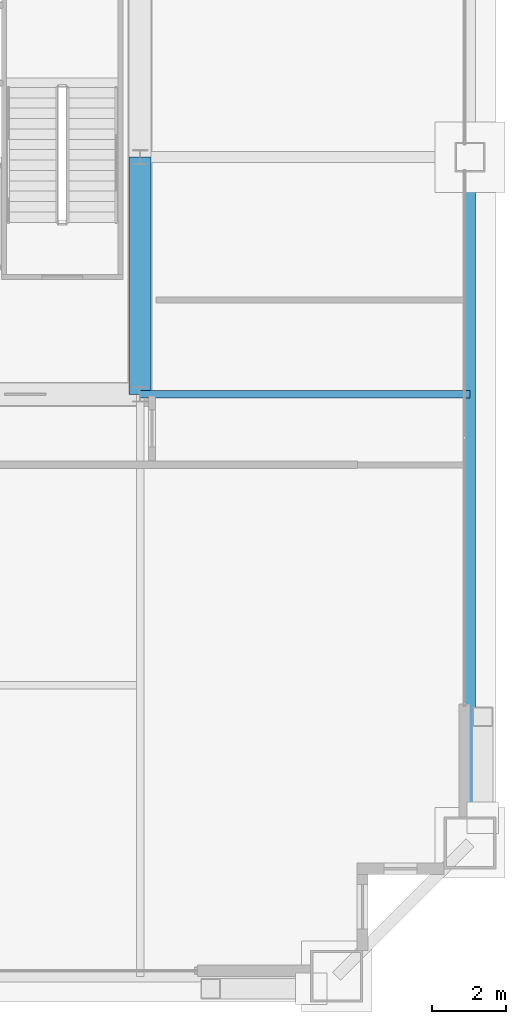
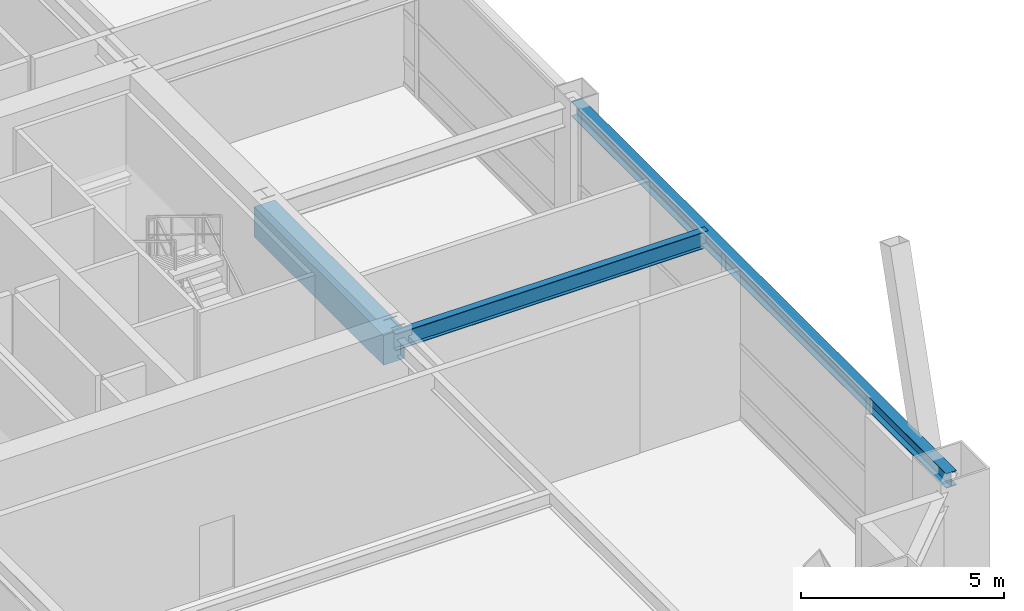
# One storey, part 16 of 34: 3 beams.
"""IFC4 building model written with IfcOpenShell, lengths in metres."""

from ifc_helpers import new_model, si_unit, direction, frame, origin, origin_2d, place, context, subcontext, project, spatial, rectangle, i_section, extrude, source, transform, mapped, material, material_profile, profile_set, type_object, element, save


model = new_model("IFC4")

# Units and contexts
model_context = context("Model", 3, precision=1e-05, world=origin(), true_north=direction((0.0, 1.0)))
body_context = subcontext(model_context, "Body", "Model", "MODEL_VIEW")
ifc_project = project(units=[si_unit("LENGTHUNIT", "METRE"), si_unit("AREAUNIT", "SQUARE_METRE"), si_unit("VOLUMEUNIT", "CUBIC_METRE"), si_unit("PLANEANGLEUNIT", "RADIAN"), si_unit("MASSUNIT", "GRAM", prefix="KILO"), si_unit("THERMODYNAMICTEMPERATUREUNIT", "KELVIN"), si_unit("POWERUNIT", "WATT")], contexts=[model_context])

# Site, building, storey
site_placement = place(None, origin())
site = spatial("IfcSite", under=ifc_project, at=site_placement, CompositionType="ELEMENT")
building_placement = place(site_placement, origin())
building = spatial("IfcBuilding", under=site, at=building_placement, Name="Yuzanri Waterfront Tower", CompositionType="ELEMENT")
storey_placement = place(building_placement, frame((0.0, 0.0, 166.800048828125)))
storey = spatial("IfcBuildingStorey", under=building, at=storey_placement, Name="L44", CompositionType="ELEMENT", Elevation=166.800048828125)

# Beams
ifc_material_1 = material(Name="Concrete C60", Category="concrete")
ifc_material_profile_1 = material_profile(ifc_material_1, rectangle(XDim=0.60009765625, YDim=0.89990234375, at=origin_2d()), Name="RC 600x900")
ifc_profile_set_1 = profile_set([ifc_material_profile_1], Name="Concrete C60")
beam_type_1 = type_object("IfcBeamType", Name="Core Coupling Lintel Concrete C60 600x900", PredefinedType="LINTEL", material=ifc_profile_set_1)
shared_shape_1 = source(origin(), body_context, "Body", "SweptSolid", [
    extrude(rectangle(XDim=0.60009765625, YDim=0.89990234375, at=origin_2d()), origin(), (0.0, 0.0, 1.0), 6.400146484375),
])
beam_1_placement = place(storey_placement, frame((50.199951171875, 19.39990234375, 4.050048828125), z_axis=(0.0, 1.0, 0.0), x_axis=(-1.0, 0.0, 0.0)))
element("IfcBeam", 1, at=beam_1_placement, inside=storey, type_object=beam_type_1, Name="L44 Core Tie Beam CE1", PredefinedType="LINTEL", context=body_context, shape_type="MappedRepresentation", body=[
    mapped(shared_shape_1, transform((0.0, 0.0, 0.0), scale=1.0)),
])
ifc_material_2 = material(Name="Steel Q355B", Category="steel")
ifc_material_profile_2 = material_profile(ifc_material_2, i_section(OverallWidth=0.300048828125, OverallDepth=0.43994140625, WebThickness=0.010986328125, FlangeThickness=0.01806640625, at=origin_2d()), Name="HM 440x300x11x18")
ifc_profile_set_2 = profile_set([ifc_material_profile_2], Name="Steel Q355B")
beam_type_2 = type_object("IfcBeamType", Name="Perimeter Spandrel Q355B HM 440x300", PredefinedType="SPANDREL", material=ifc_profile_set_2)
shared_shape_2 = source(origin(), body_context, "Body", "SweptSolid", [
    extrude(i_section(OverallWidth=0.300048828125, OverallDepth=0.43994140625, WebThickness=0.010986328125, FlangeThickness=0.01806640625, at=origin_2d()), origin(), (0.0, 0.0, 1.0), 18.5),
])
beam_2_placement = place(storey_placement, frame((59.10009765625, 7.300048828125, 4.280029296875), z_axis=(0.0, 1.0, 0.0), x_axis=(-1.0, 0.0, 0.0)))
element("IfcBeam", 2, at=beam_2_placement, inside=storey, type_object=beam_type_2, Name="L44 Perimeter Spandrel E1-E2", PredefinedType="SPANDREL", context=body_context, shape_type="MappedRepresentation", body=[
    mapped(shared_shape_2, transform((0.0, 0.0, 0.0), scale=1.0)),
])
ifc_material_3 = material(Name="Steel Q355B", Category="steel")
ifc_material_profile_3 = material_profile(ifc_material_3, i_section(OverallWidth=0.199951171875, OverallDepth=0.5, WebThickness=0.010009765625, FlangeThickness=0.01611328125, at=origin_2d()), Name="HN 500x200x10x16")
ifc_profile_set_3 = profile_set([ifc_material_profile_3], Name="Steel Q355B")
beam_type_3 = type_object("IfcBeamType", Name="Secondary Floor Beam Q355B HN 500x200", PredefinedType="BEAM", material=ifc_profile_set_3)
shared_shape_3 = source(origin(), body_context, "Body", "SweptSolid", [
    extrude(i_section(OverallWidth=0.199951171875, OverallDepth=0.5, WebThickness=0.010009765625, FlangeThickness=0.01611328125, at=origin_2d()), origin(), (0.0, 0.0, 1.0), 8.900146484375),
])
beam_3_placement = place(storey_placement, frame((50.199951171875, 19.39990234375, 4.25), z_axis=(1.0, 0.0, 0.0), x_axis=(0.0, 1.0, 0.0)))
element("IfcBeam", 3, at=beam_3_placement, inside=storey, type_object=beam_type_3, Name="L44 East-South Core Line Beam", PredefinedType="BEAM", context=body_context, shape_type="MappedRepresentation", body=[
    mapped(shared_shape_3, transform((0.0, 0.0, 0.0), scale=1.0)),
])

save(model, "model.ifc")
